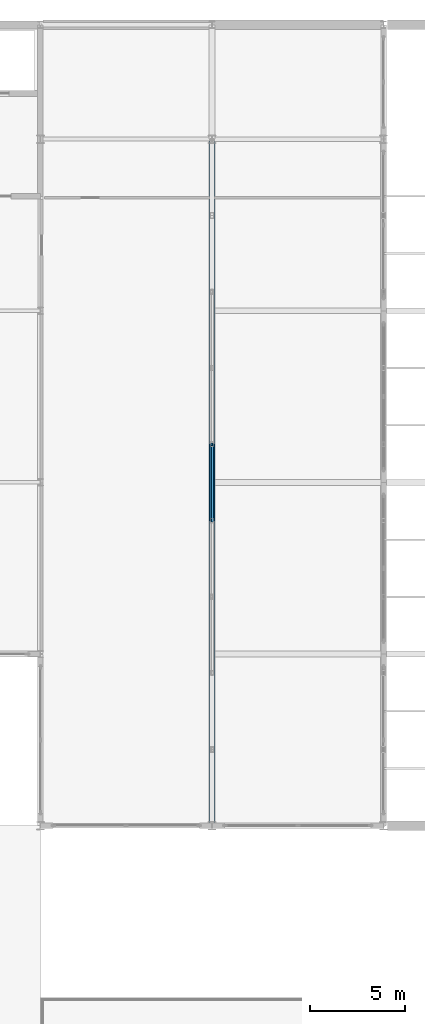
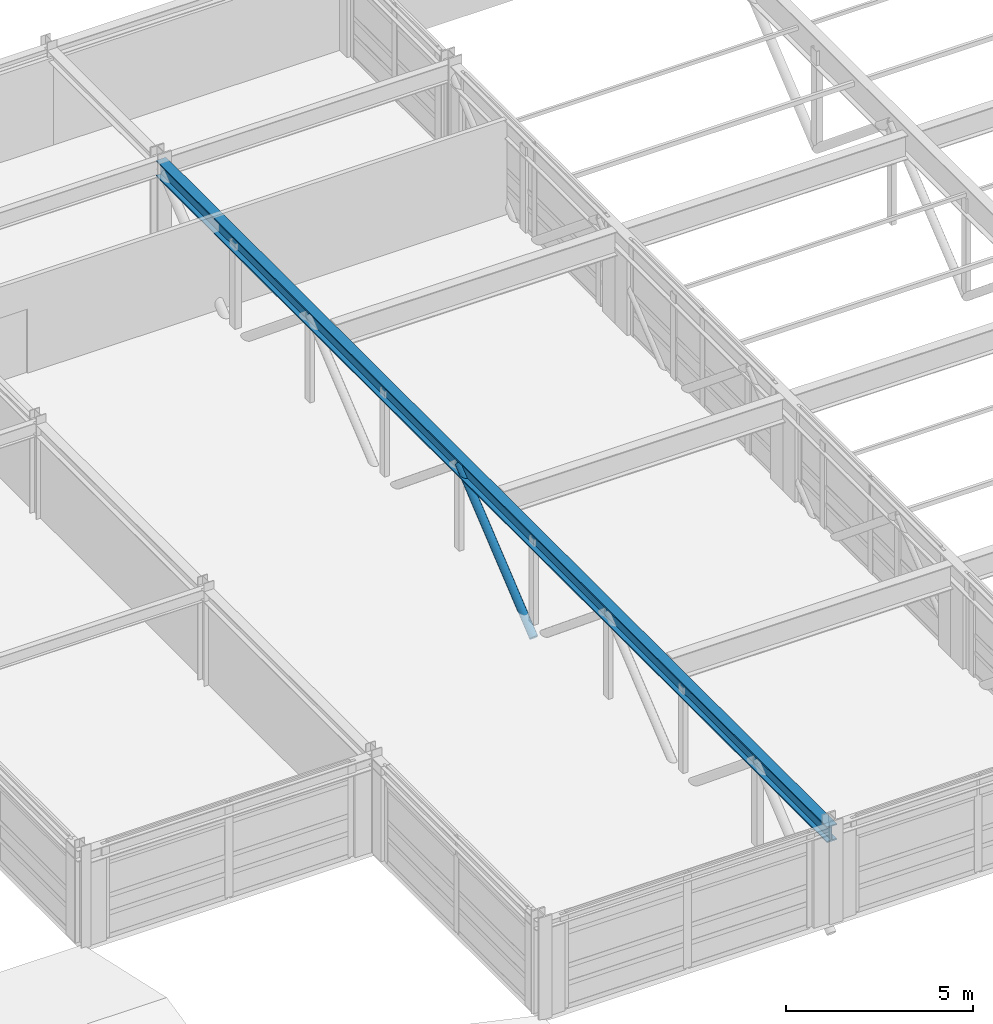
# One storey, part 44 of 91: 1 beam, 1 member.
"""IFC4 building model written with IfcOpenShell, lengths in metres."""

from ifc_helpers import new_model, si_unit, direction, frame, origin, origin_2d, place, context, subcontext, project, spatial, hollow_circle, i_section, extrude, material, material_profile, profile_set, type_object, element, save


model = new_model("IFC4")

# Units and contexts
model_context = context("Model", 3, precision=1e-05, world=origin(), true_north=direction((0.0, 1.0)))
body_context = subcontext(model_context, "Body", "Model", "MODEL_VIEW")
ifc_project = project(units=[si_unit("LENGTHUNIT", "METRE"), si_unit("AREAUNIT", "SQUARE_METRE"), si_unit("VOLUMEUNIT", "CUBIC_METRE"), si_unit("PLANEANGLEUNIT", "RADIAN"), si_unit("MASSUNIT", "GRAM", prefix="KILO")], contexts=[model_context])

# Site, building, storey
site_placement = place(None, origin())
site = spatial("IfcSite", under=ifc_project, at=site_placement, CompositionType="ELEMENT")
building_placement = place(site_placement, origin())
building = spatial("IfcBuilding", under=site, at=building_placement, Name="Palais des Congres Ocreval", CompositionType="ELEMENT")
storey_placement = place(building_placement, frame((0.0, 0.0, 8.159912109375)))
storey = spatial("IfcBuildingStorey", under=building, at=storey_placement, Name="L02", CompositionType="ELEMENT", Elevation=8.159912109375)

# Member
ifc_material_1 = material(Name="Steel S355", Category="steel")
ifc_material_profile_1 = material_profile(ifc_material_1, hollow_circle(Radius=0.122314453125, WallThickness=0.012451171875, at=origin_2d()), Name="CHS 244.5x12.5")
ifc_profile_set_1 = profile_set([ifc_material_profile_1], Name="Steel S355")
member_type = type_object("IfcMemberType", Name="Diagonal Brace CHS 244.5x12.5 Steel S355", PredefinedType="BRACE", material=ifc_profile_set_1)
member_placement = place(storey_placement, frame((117.0, 88.0, -0.5), z_axis=(0.0, 0.772316531173, 0.635237889044), x_axis=(-1.0, 0.0, 0.0)))
element("IfcMember", 1, at=member_placement, inside=storey, type_object=member_type, Name="Transfer Truss Web Diagonal V2-117-5", PredefinedType="BRACE", context=body_context, shape_type="SweptSolid", body=[
    extrude(hollow_circle(Radius=0.122314453125, WallThickness=0.012451171875, at=origin_2d()), origin(), (0.0, 0.0, 1.0), 5.17919921875),
])

# Beam
ifc_material_2 = material(Name="Steel S460", Category="steel")
ifc_material_profile_2 = material_profile(ifc_material_2, i_section(OverallWidth=0.305908203125, OverallDepth=0.52392578125, WebThickness=0.02099609375, FlangeThickness=0.0400390625, at=origin_2d()), Name="HEM 500")
ifc_profile_set_2 = profile_set([ifc_material_profile_2], Name="Steel S460")
beam_type = type_object("IfcBeamType", Name="Transfer Girder HEM 500 Steel S460", PredefinedType="T_BEAM", material=ifc_profile_set_2)
beam_placement = place(storey_placement, frame((117.0, 72.02001953125, 2.7900390625), z_axis=(0.0, 1.0, 0.0), x_axis=(-1.0, 0.0, 0.0)))
element("IfcBeam", 2, at=beam_placement, inside=storey, type_object=beam_type, Name="Ballroom Transfer Truss Top Girder TG01", PredefinedType="T_BEAM", context=body_context, shape_type="SweptSolid", body=[
    extrude(i_section(OverallWidth=0.305908203125, OverallDepth=0.52392578125, WebThickness=0.02099609375, FlangeThickness=0.0400390625, at=origin_2d()), origin(), (0.0, 0.0, 1.0), 35.9599609375),
])

save(model, "model.ifc")
